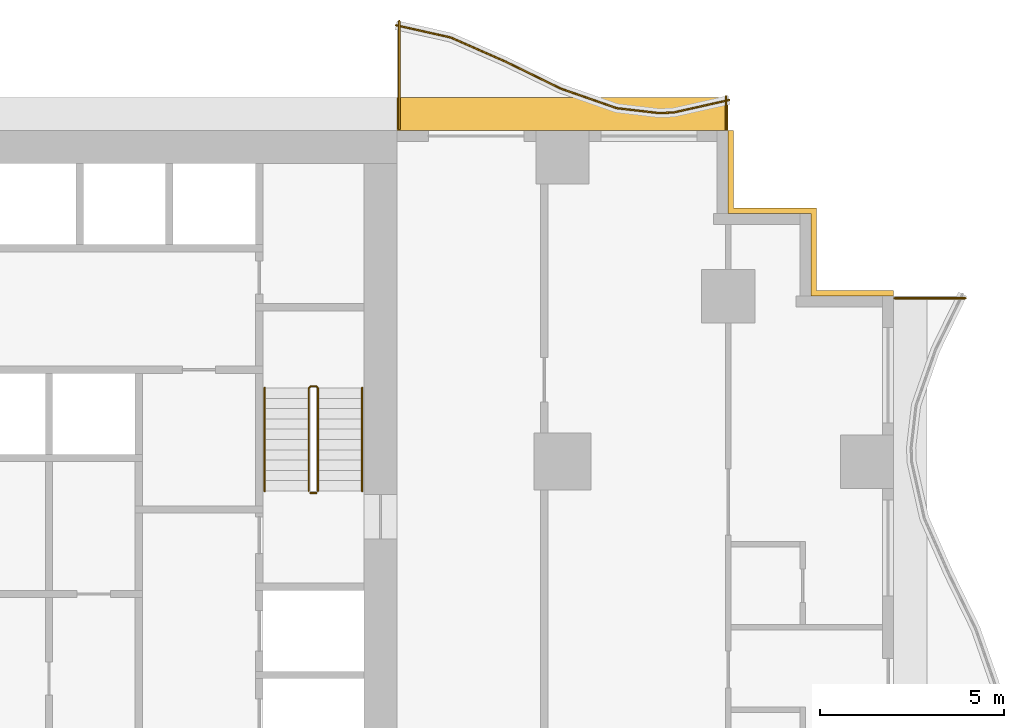
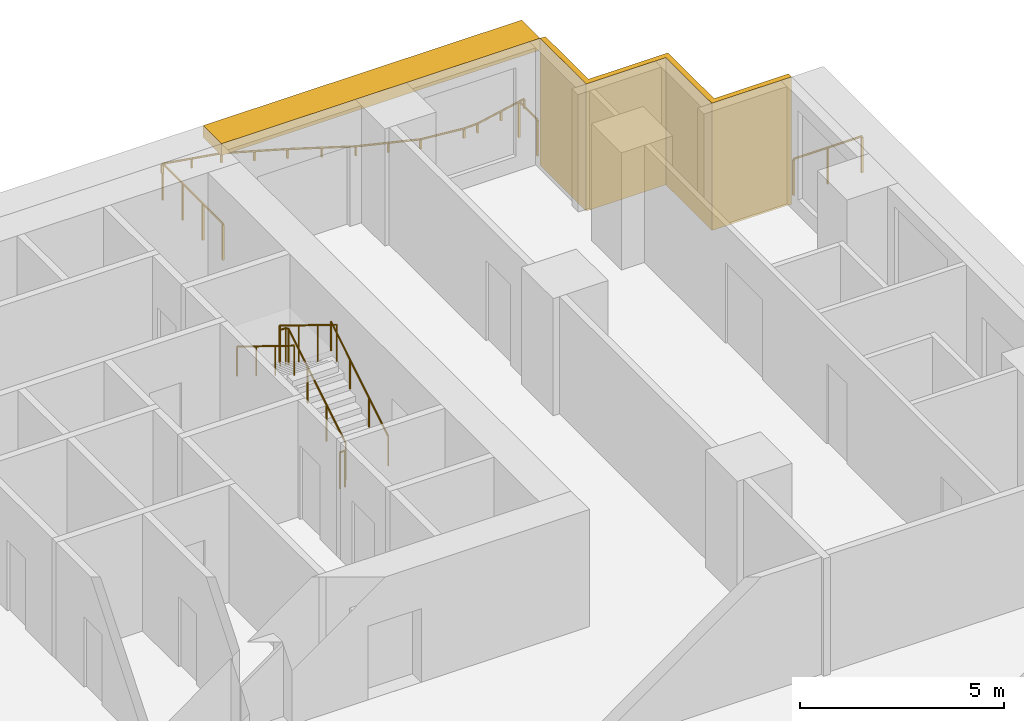
# One storey, part 14 of 14: 8 railings, 2 shading devices.
"""IFC4 building model written with IfcOpenShell, lengths in metres."""

from ifc_helpers import new_model, si_unit, direction, frame, origin, origin_2d, place, context, subcontext, project, spatial, polyline, rectangle, circle, outline, extrude, material, layer, layer_set, type_object, element, save


model = new_model("IFC4")

# Units and contexts
model_context = context("Model", 3, precision=1e-05, world=origin(), true_north=direction((0.0, 1.0)))
body_context = subcontext(model_context, "Body", "Model", "MODEL_VIEW")
ifc_project = project(units=[si_unit("LENGTHUNIT", "METRE"), si_unit("AREAUNIT", "SQUARE_METRE"), si_unit("VOLUMEUNIT", "CUBIC_METRE"), si_unit("PLANEANGLEUNIT", "RADIAN"), si_unit("MASSUNIT", "GRAM", prefix="KILO")], contexts=[model_context])

# Site, building, storey
site_placement = place(None, origin())
site = spatial("IfcSite", under=ifc_project, at=site_placement, CompositionType="ELEMENT")
building_placement = place(site_placement, origin())
building = spatial("IfcBuilding", under=site, at=building_placement, Name="Orbiselva Terraces", CompositionType="ELEMENT")
storey_placement = place(building_placement, frame((0.0, 0.0, 34.0)))
storey = spatial("IfcBuildingStorey", under=building, at=storey_placement, Name="L08", CompositionType="ELEMENT", Elevation=34.0)

# Railings
ifc_material_1 = material(Name="Stainless steel", Category="steel")
railing_type_1 = type_object("IfcRailingType", Name="CORE-GUARD-1100", PredefinedType="GUARDRAIL", material=ifc_material_1)
railing_1_placement = place(storey_placement, frame((11.35, 12.7, 0.172727)))
element("IfcRailing", 1, at=railing_1_placement, inside=storey, type_object=railing_type_1, Name="L08 S2 stair guard 1", PredefinedType="GUARDRAIL", context=body_context, shape_type="SweptSolid", body=[
    extrude(circle(Radius=0.024, at=origin_2d()), frame((0.0, 0.0, 1.081), z_axis=(0.0, 0.851088519012, 0.52502222125), x_axis=(-1.0, 0.0, 0.0)), (0.0, 0.0, 1.0), 3.289905),
    extrude(circle(Radius=0.024, at=origin_2d()), frame((0.0, 2.8, 2.808273), z_axis=(-0.707106781187, 0.707106781187, 0.0), x_axis=(-0.707106781187, -0.707106781187, 0.0)), (0.0, 0.0, 1.0), 0.070711),
    extrude(circle(Radius=0.024, at=origin_2d()), frame((-0.05, 2.85, 2.808273), z_axis=(-1.0, 0.0, 0.0), x_axis=(0.0, -1.0, 0.0)), (0.0, 0.0, 1.0), 0.15),
    extrude(circle(Radius=0.024, at=origin_2d()), frame((-0.2, 2.85, 2.808273), z_axis=(-0.267894925557, -0.267894925557, 0.925453736133), x_axis=(0.707106781187, -0.707106781187, 0.0)), (0.0, 0.0, 1.0), 0.18664),
    extrude(circle(Radius=0.024, at=origin_2d()), frame((-0.25, 2.8, 2.981), z_axis=(0.0, -0.851088519012, 0.52502222125), x_axis=(1.0, 0.0, 0.0)), (0.0, 0.0, 1.0), 3.289905),
    extrude(circle(Radius=0.021, at=origin_2d()), origin(), (0.0, 0.0, 1.0), 1.057),
    extrude(circle(Radius=0.021, at=origin_2d()), frame((0.0, 0.933333, 0.575758)), (0.0, 0.0, 1.0), 1.057),
    extrude(circle(Radius=0.021, at=origin_2d()), frame((0.0, 1.866667, 1.151515)), (0.0, 0.0, 1.0), 1.057),
    extrude(circle(Radius=0.021, at=origin_2d()), frame((0.0, 2.8, 1.727273)), (0.0, 0.0, 1.0), 1.057),
    extrude(circle(Radius=0.021, at=origin_2d()), frame((-0.05, 2.85, 1.727273)), (0.0, 0.0, 1.0), 1.057),
    extrude(circle(Radius=0.021, at=origin_2d()), frame((-0.2, 2.85, 1.727273)), (0.0, 0.0, 1.0), 1.057),
    extrude(circle(Radius=0.021, at=origin_2d()), frame((-0.25, 2.8, 1.9)), (0.0, 0.0, 1.0), 1.057),
    extrude(circle(Radius=0.021, at=origin_2d()), frame((-0.25, 1.866667, 2.475758)), (0.0, 0.0, 1.0), 1.057),
    extrude(circle(Radius=0.021, at=origin_2d()), frame((-0.25, 0.933333, 3.051515)), (0.0, 0.0, 1.0), 1.057),
    extrude(circle(Radius=0.021, at=origin_2d()), frame((-0.25, 0.0, 3.627273)), (0.0, 0.0, 1.0), 1.057),
])
railing_2_placement = place(storey_placement, frame((11.3, 12.65, 0.0)))
element("IfcRailing", 2, at=railing_2_placement, inside=storey, type_object=railing_type_1, Name="L08 S2 stair guard 2", PredefinedType="GUARDRAIL", context=body_context, shape_type="SweptSolid", body=[
    extrude(circle(Radius=0.024, at=origin_2d()), frame((0.0, 0.0, 1.081), z_axis=(-1.0, 0.0, 0.0), x_axis=(0.0, -1.0, 0.0)), (0.0, 0.0, 1.0), 0.15),
    extrude(circle(Radius=0.021, at=origin_2d()), origin(), (0.0, 0.0, 1.0), 1.057),
    extrude(circle(Radius=0.021, at=origin_2d()), frame((-0.15, 0.0, 0.0)), (0.0, 0.0, 1.0), 1.057),
])
railing_type_2 = type_object("IfcRailingType", Name="CORE-HANDRAIL-900", PredefinedType="HANDRAIL", material=ifc_material_1)
railing_3_placement = place(storey_placement, frame((12.55, 12.7, 0.172727)))
element("IfcRailing", 3, at=railing_3_placement, inside=storey, type_object=railing_type_2, Name="L08 S2 stair handrail 1", PredefinedType="HANDRAIL", context=body_context, shape_type="SweptSolid", body=[
    extrude(circle(Radius=0.024, at=origin_2d()), frame((0.0, 0.0, 0.876), z_axis=(0.0, 0.851088519012, 0.52502222125), x_axis=(-1.0, 0.0, 0.0)), (0.0, 0.0, 1.0), 3.289905),
    extrude(circle(Radius=0.021, at=origin_2d()), origin(), (0.0, 0.0, 1.0), 0.852),
    extrude(circle(Radius=0.021, at=origin_2d()), frame((0.0, 0.933333, 0.575758)), (0.0, 0.0, 1.0), 0.852),
    extrude(circle(Radius=0.021, at=origin_2d()), frame((0.0, 1.866667, 1.151515)), (0.0, 0.0, 1.0), 0.852),
    extrude(circle(Radius=0.021, at=origin_2d()), frame((0.0, 2.8, 1.727273)), (0.0, 0.0, 1.0), 0.852),
])
railing_4_placement = place(storey_placement, frame((9.9, 15.5, 2.072727)))
element("IfcRailing", 4, at=railing_4_placement, inside=storey, type_object=railing_type_2, Name="L08 S2 stair handrail 2", PredefinedType="HANDRAIL", context=body_context, shape_type="SweptSolid", body=[
    extrude(circle(Radius=0.024, at=origin_2d()), frame((0.0, 0.0, 0.876), z_axis=(0.0, -0.851088519012, 0.52502222125), x_axis=(1.0, 0.0, 0.0)), (0.0, 0.0, 1.0), 3.289905),
    extrude(circle(Radius=0.021, at=origin_2d()), origin(), (0.0, 0.0, 1.0), 0.852),
    extrude(circle(Radius=0.021, at=origin_2d()), frame((0.0, -0.933333, 0.575758)), (0.0, 0.0, 1.0), 0.852),
    extrude(circle(Radius=0.021, at=origin_2d()), frame((0.0, -1.866667, 1.151515)), (0.0, 0.0, 1.0), 0.852),
    extrude(circle(Radius=0.021, at=origin_2d()), frame((0.0, -2.8, 1.727273)), (0.0, 0.0, 1.0), 0.852),
])
ifc_material_2 = material(Name="Bonded two-ply safety glass balustrade, stainless steel posts", Category="steel")
railing_type_3 = type_object("IfcRailingType", Name="ENV-BALUSTRADE-1200", PredefinedType="BALUSTRADE", material=ifc_material_2)
railing_5_placement = place(storey_placement, frame((22.527377, 23.329507, 0.9)))
element("IfcRailing", 5, at=railing_5_placement, inside=storey, type_object=railing_type_3, Name="Balcony balustrade L08 NE", PredefinedType="BALUSTRADE", context=body_context, shape_type="SweptSolid", body=[
    extrude(outline(polyline([(0.028868, 0.0), (0.014434, 0.025), (-0.014434, 0.025), (-0.028868, 0.0), (-0.014434, -0.025), (0.014434, -0.025), (0.028868, 0.0)])), frame((0.0, 0.0, 0.275), z_axis=(-0.97572138316, -0.219015484484, 0.0), x_axis=(0.219015484484, -0.97572138316, 0.0)), (0.0, 0.0, 1.0), 1.548694),
    extrude(outline(polyline([(0.028868, 0.0), (0.014434, 0.025), (-0.014434, 0.025), (-0.028868, 0.0), (-0.014434, -0.025), (0.014434, -0.025), (0.028868, 0.0)])), frame((-1.511094, -0.339188, 0.275), z_axis=(-0.999224734286, -0.03936915532, 0.0), x_axis=(0.03936915532, -0.999224734286, 0.0)), (0.0, 0.0, 1.0), 0.396376),
    extrude(outline(polyline([(0.028868, 0.0), (0.014434, 0.025), (-0.014434, 0.025), (-0.028868, 0.0), (-0.014434, -0.025), (0.014434, -0.025), (0.028868, 0.0)])), frame((-1.907163, -0.354793, 0.275), z_axis=(-0.993309551734, 0.115482182324, 0.0), x_axis=(-0.115482182324, -0.993309551734, 0.0)), (0.0, 0.0, 1.0), 1.156135),
    extrude(outline(polyline([(0.028868, 0.0), (0.014434, 0.025), (-0.014434, 0.025), (-0.028868, 0.0), (-0.014434, -0.025), (0.014434, -0.025), (0.028868, 0.0)])), frame((-3.055563, -0.22128, 0.275), z_axis=(-0.943972332783, 0.330024597479, 0.0), x_axis=(-0.330024597479, -0.943972332783, 0.0)), (0.0, 0.0, 1.0), 1.610253),
    extrude(outline(polyline([(0.028868, 0.0), (0.014434, 0.025), (-0.014434, 0.025), (-0.028868, 0.0), (-0.014434, -0.025), (0.014434, -0.025), (0.028868, 0.0)])), frame((-4.575597, 0.310143, 0.275), z_axis=(-0.898578870221, 0.438812048596, 0.0), x_axis=(-0.438812048596, -0.898578870221, 0.0)), (0.0, 0.0, 1.0), 1.674225),
    extrude(outline(polyline([(0.028868, 0.0), (0.014434, 0.025), (-0.014434, 0.025), (-0.028868, 0.0), (-0.014434, -0.025), (0.014434, -0.025), (0.028868, 0.0)])), frame((-6.08002, 1.044813, 0.275), z_axis=(-0.915133363686, 0.403151245402, 0.0), x_axis=(-0.403151245402, -0.915133363686, 0.0)), (0.0, 0.0, 1.0), 1.624475),
    extrude(outline(polyline([(0.028868, 0.0), (0.014434, 0.025), (-0.014434, 0.025), (-0.028868, 0.0), (-0.014434, -0.025), (0.014434, -0.025), (0.028868, 0.0)])), frame((-7.566631, 1.699722, 0.275), z_axis=(-0.975721356559, 0.219015602994, 0.0), x_axis=(-0.219015602994, -0.975721356559, 0.0)), (0.0, 0.0, 1.0), 1.525152),
    extrude(rectangle(XDim=0.05, YDim=0.05, at=origin_2d()), origin(), (0.0, 0.0, 1.0), 0.25),
    extrude(rectangle(XDim=0.05, YDim=0.05, at=origin_2d()), frame((-0.755547, -0.169594, 0.0)), (0.0, 0.0, 1.0), 0.25),
    extrude(rectangle(XDim=0.05, YDim=0.05, at=origin_2d()), frame((-1.511094, -0.339188, 0.0)), (0.0, 0.0, 1.0), 0.25),
    extrude(rectangle(XDim=0.05, YDim=0.05, at=origin_2d()), frame((-1.907163, -0.354793, 0.0)), (0.0, 0.0, 1.0), 0.25),
    extrude(rectangle(XDim=0.05, YDim=0.05, at=origin_2d()), frame((-3.055563, -0.22128, 0.0)), (0.0, 0.0, 1.0), 0.25),
    extrude(rectangle(XDim=0.05, YDim=0.05, at=origin_2d()), frame((-3.81558, 0.044431, 0.0)), (0.0, 0.0, 1.0), 0.25),
    extrude(rectangle(XDim=0.05, YDim=0.05, at=origin_2d()), frame((-4.575597, 0.310143, 0.0)), (0.0, 0.0, 1.0), 0.25),
    extrude(rectangle(XDim=0.05, YDim=0.05, at=origin_2d()), frame((-5.327809, 0.677478, 0.0)), (0.0, 0.0, 1.0), 0.25),
    extrude(rectangle(XDim=0.05, YDim=0.05, at=origin_2d()), frame((-6.08002, 1.044813, 0.0)), (0.0, 0.0, 1.0), 0.25),
    extrude(rectangle(XDim=0.05, YDim=0.05, at=origin_2d()), frame((-6.823326, 1.372268, 0.0)), (0.0, 0.0, 1.0), 0.25),
    extrude(rectangle(XDim=0.05, YDim=0.05, at=origin_2d()), frame((-7.566631, 1.699722, 0.0)), (0.0, 0.0, 1.0), 0.25),
    extrude(rectangle(XDim=0.05, YDim=0.05, at=origin_2d()), frame((-8.310693, 1.866738, 0.0)), (0.0, 0.0, 1.0), 0.25),
    extrude(rectangle(XDim=0.05, YDim=0.05, at=origin_2d()), frame((-9.054754, 2.033754, 0.0)), (0.0, 0.0, 1.0), 0.25),
])
ifc_material_3 = material(Name="Stainless steel rail and posts", Category="steel")
railing_type_4 = type_object("IfcRailingType", Name="ENV-GUARD-1105", PredefinedType="BALUSTRADE", material=ifc_material_3)
railing_6_placement = place(storey_placement, frame((28.957877, 17.94, 0.0)))
element("IfcRailing", 6, at=railing_6_placement, inside=storey, type_object=railing_type_4, Name="Balcony end guard L08 E", PredefinedType="BALUSTRADE", context=body_context, shape_type="SweptSolid", body=[
    extrude(outline(polyline([(0.028868, 0.0), (0.014434, 0.025), (-0.014434, 0.025), (-0.028868, 0.0), (-0.014434, -0.025), (0.014434, -0.025), (0.028868, 0.0)])), frame((0.0, 0.0, 1.08), z_axis=(-1.0, 0.0, 0.0), x_axis=(0.0, -1.0, 0.0)), (0.0, 0.0, 1.0), 1.932877),
    extrude(rectangle(XDim=0.05, YDim=0.05, at=origin_2d()), origin(), (0.0, 0.0, 1.0), 1.055),
    extrude(rectangle(XDim=0.05, YDim=0.05, at=origin_2d()), frame((-0.966439, 0.0, 0.0)), (0.0, 0.0, 1.0), 1.055),
    extrude(rectangle(XDim=0.05, YDim=0.05, at=origin_2d()), frame((-1.932877, 0.0, 0.0)), (0.0, 0.0, 1.0), 1.055),
])
railing_7_placement = place(storey_placement, frame((22.44, 23.430416, 0.0)))
element("IfcRailing", 7, at=railing_7_placement, inside=storey, type_object=railing_type_4, Name="Balcony end guard L08 NE", PredefinedType="BALUSTRADE", context=body_context, shape_type="SweptSolid", body=[
    extrude(outline(polyline([(0.028868, 0.0), (0.014434, 0.025), (-0.014434, 0.025), (-0.028868, 0.0), (-0.014434, -0.025), (0.014434, -0.025), (0.028868, 0.0)])), frame((0.0, 0.0, 1.08), z_axis=(0.0, -1.0, 0.0), x_axis=(1.0, 0.0, 0.0)), (0.0, 0.0, 1.0), 0.905416),
    extrude(rectangle(XDim=0.05, YDim=0.05, at=origin_2d()), origin(), (0.0, 0.0, 1.0), 1.055),
    extrude(rectangle(XDim=0.05, YDim=0.05, at=origin_2d()), frame((0.0, -0.905416, 0.0)), (0.0, 0.0, 1.0), 1.055),
])
railing_8_placement = place(storey_placement, frame((13.56, 25.480134, 0.0)))
element("IfcRailing", 8, at=railing_8_placement, inside=storey, type_object=railing_type_4, Name="Balcony end guard L08 NE", PredefinedType="BALUSTRADE", context=body_context, shape_type="SweptSolid", body=[
    extrude(outline(polyline([(0.028868, 0.0), (0.014434, 0.025), (-0.014434, 0.025), (-0.028868, 0.0), (-0.014434, -0.025), (0.014434, -0.025), (0.028868, 0.0)])), frame((0.0, 0.0, 1.08), z_axis=(0.0, -1.0, 0.0), x_axis=(1.0, 0.0, 0.0)), (0.0, 0.0, 1.0), 2.955134),
    extrude(rectangle(XDim=0.05, YDim=0.05, at=origin_2d()), origin(), (0.0, 0.0, 1.0), 1.055),
    extrude(rectangle(XDim=0.05, YDim=0.05, at=origin_2d()), frame((0.0, -0.985045, 0.0)), (0.0, 0.0, 1.0), 1.055),
    extrude(rectangle(XDim=0.05, YDim=0.05, at=origin_2d()), frame((0.0, -1.970089, 0.0)), (0.0, 0.0, 1.0), 1.055),
    extrude(rectangle(XDim=0.05, YDim=0.05, at=origin_2d()), frame((0.0, -2.955134, 0.0)), (0.0, 0.0, 1.0), 1.055),
])

# Shading devices
ifc_material_4 = material(Name="Terracotta louvre screen", Category="masonry")
ifc_layer_1 = layer(ifc_material_4, 0.15)
ifc_layer_set_1 = layer_set([ifc_layer_1], Name="Terracotta louvre screen")
shading_device_type_1 = type_object("IfcShadingDeviceType", Name="ENV-SCREEN-150", PredefinedType="USERDEFINED", material=ifc_layer_set_1)
shading_device_1_placement = place(storey_placement, frame((0.0, 0.0, -0.3)))
element("IfcShadingDevice", 9, at=shading_device_1_placement, inside=storey, type_object=shading_device_type_1, Name="Louvre screen L08 NE", ObjectType="SCREEN", PredefinedType="USERDEFINED", context=body_context, shape_type="SweptSolid", body=[
    extrude(outline(polyline([(27.0, 18.15), (24.9, 18.15), (24.9, 20.4), (22.65, 20.4), (22.65, 22.5), (22.5, 22.5), (22.5, 20.25), (24.75, 20.25), (24.75, 18.0), (27.0, 18.0), (27.0, 18.15)])), origin(), (0.0, 0.0, 1.0), 3.8),
])
ifc_material_5 = material(Name="Terracotta baguette sunshade", Category="masonry")
ifc_layer_2 = layer(ifc_material_5, 0.35)
ifc_layer_set_2 = layer_set([ifc_layer_2], Name="Terracotta baguette sunshade")
shading_device_type_2 = type_object("IfcShadingDeviceType", Name="ENV-SUNSHADE-900x350", PredefinedType="USERDEFINED", material=ifc_layer_set_2)
shading_device_2_placement = place(storey_placement, frame((0.0, 0.0, 3.15)))
element("IfcShadingDevice", 10, at=shading_device_2_placement, inside=storey, type_object=shading_device_type_2, Name="Sunshade band L08 NE", ObjectType="SUNSHADE", PredefinedType="USERDEFINED", context=body_context, shape_type="SweptSolid", body=[
    extrude(outline(polyline([(22.5, 23.4), (13.5, 23.4), (13.5, 22.5), (22.5, 22.5), (22.5, 23.4)])), origin(), (0.0, 0.0, 1.0), 0.35),
])

save(model, "model.ifc")
